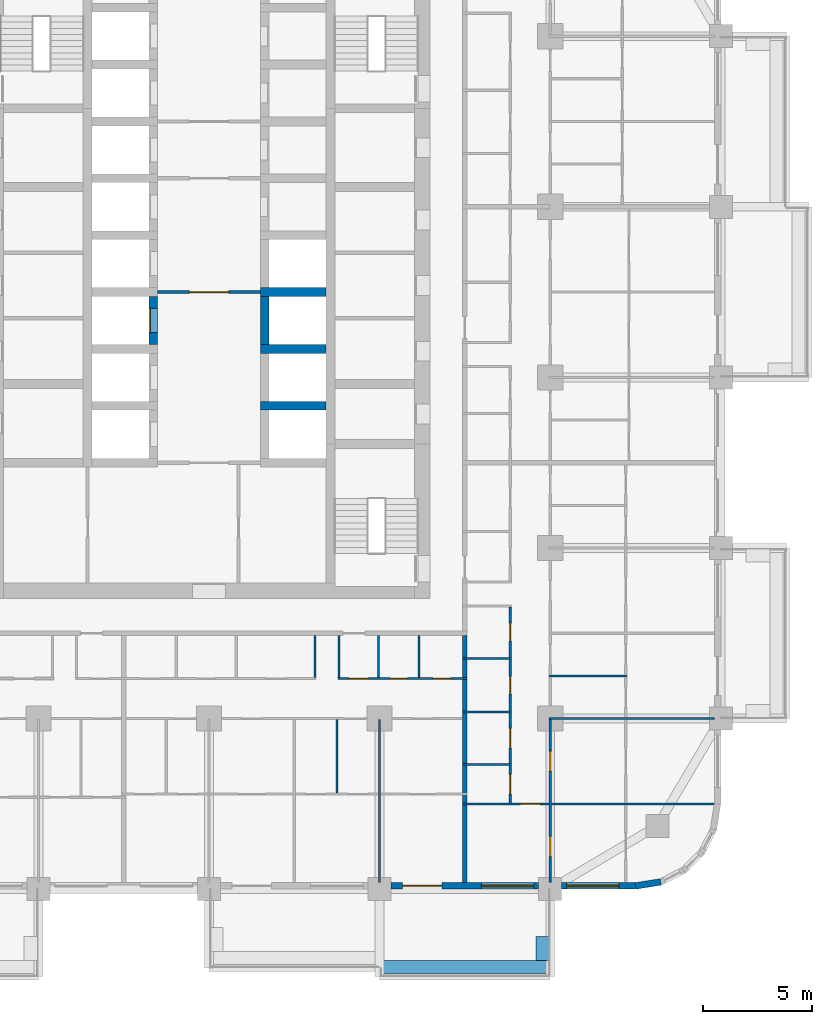
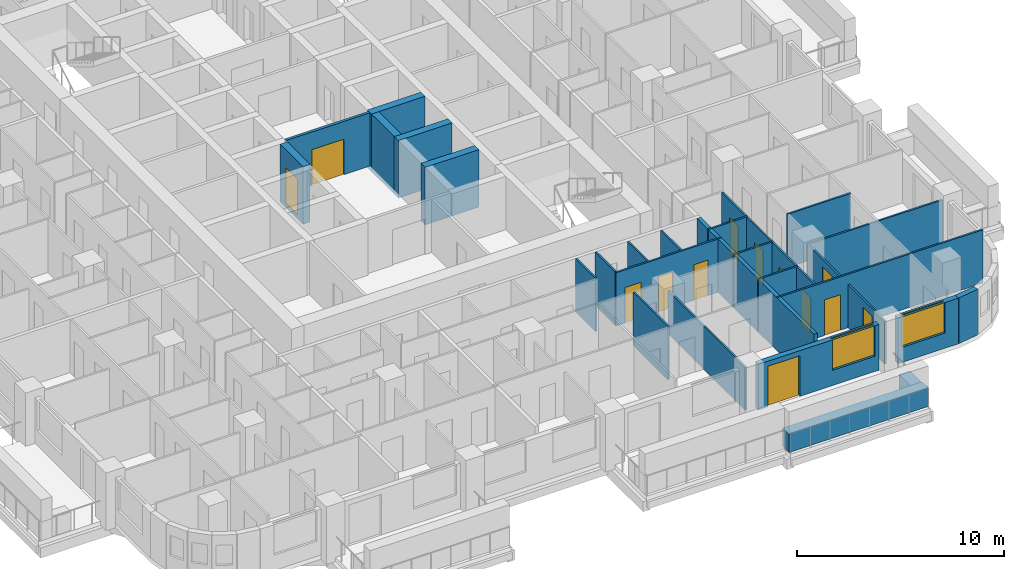
# One storey, part 7 of 18: 27 walls, 13 doors, 2 windows, 15 openings.
"""IFC4 building model written with IfcOpenShell, lengths in metres."""

from ifc_helpers import new_model, si_unit, direction, frame, frame_2d, origin, place, context, subcontext, project, spatial, rectangle, extrude, material, layer, layer_set, type_object, element, fill, save


model = new_model("IFC4")

# Units and contexts
model_context = context("Model", 3, precision=1e-05, world=origin(), true_north=direction((0.0, 1.0)))
body_context = subcontext(model_context, "Body", "Model", "MODEL_VIEW")
ifc_project = project(units=[si_unit("LENGTHUNIT", "METRE"), si_unit("AREAUNIT", "SQUARE_METRE"), si_unit("VOLUMEUNIT", "CUBIC_METRE"), si_unit("PLANEANGLEUNIT", "RADIAN"), si_unit("MASSUNIT", "GRAM", prefix="KILO")], contexts=[model_context])

# Site, building, storey
site_placement = place(None, origin())
site = spatial("IfcSite", under=ifc_project, at=site_placement, CompositionType="ELEMENT")
building_placement = place(site_placement, origin())
building = spatial("IfcBuilding", under=site, at=building_placement, Name="Ludao Terraces", CompositionType="ELEMENT")
storey_placement = place(building_placement, frame((0.0, 0.0, 29.699951171875)))
storey = spatial("IfcBuildingStorey", under=building, at=storey_placement, Name="L07", CompositionType="ELEMENT", Elevation=29.699951171875)

# Walls
ifc_material_1 = material(Name="Concrete C40", Category="concrete")
ifc_layer_1 = layer(ifc_material_1, 0.60009765625)
ifc_layer_set_1 = layer_set([ifc_layer_1], Name="ENV Planter trough 600")
wall_type_1 = type_object("IfcWallType", Name="ENV Planter trough 600", PredefinedType="USERDEFINED", material=ifc_layer_set_1)
wall_1_placement = place(storey_placement, frame((92.800048828125, 38.050048828125, 0.0), z_axis=(0.0, 0.0, 1.0), x_axis=(1.0, 0.0, 0.0)))
element("IfcWall", 1, at=wall_1_placement, inside=storey, type_object=wall_type_1, Name="PL-L07-S4", ObjectType="PLANTER", PredefinedType="USERDEFINED", context=body_context, shape_type="SweptSolid", body=[
    extrude(rectangle(XDim=7.800048828125, YDim=0.60009765625, at=frame_2d((3.89990234375, 0.0))), origin(), (0.0, 0.0, 1.0), 1.10009765625),
])
wall_2_placement = place(storey_placement, frame((100.25, 38.35009765625, 0.0), z_axis=(0.0, 0.0, 1.0), x_axis=(0.0, 1.0, 0.0)))
element("IfcWall", 2, at=wall_2_placement, inside=storey, type_object=wall_type_1, Name="PL-L07-S4-SB", ObjectType="PLANTER", PredefinedType="USERDEFINED", context=body_context, shape_type="SweptSolid", body=[
    extrude(rectangle(XDim=1.099853515625, YDim=0.60009765625, at=frame_2d((0.5498046875, 0.0))), origin(), (0.0, 0.0, 1.0), 1.10009765625),
])

# Wall, openings, door, window
ifc_material_2 = material(Name="Granite cladding", Category="masonry")
ifc_layer_2 = layer(ifc_material_2, 0.0400390625, Category="stone")
ifc_material_3 = material(Name="Mineral wool")
ifc_layer_3 = layer(ifc_material_3, 0.06005859375)
ifc_layer_4 = layer(ifc_material_1, 0.199951171875, Category="concrete")
ifc_layer_set_2 = layer_set([ifc_layer_2, ifc_layer_3, ifc_layer_4], Name="ENV Stone-clad wall 300")
wall_type_2 = type_object("IfcWallType", Name="ENV Stone-clad wall 300", PredefinedType="SOLIDWALL", material=ifc_layer_set_2)
wall_3_placement = place(storey_placement, frame((93.324951171875, 41.75, 0.0), z_axis=(0.0, 0.0, 1.0), x_axis=(1.0, 0.0, 0.0)))
wall_3 = element("IfcWall", 3, at=wall_3_placement, inside=storey, type_object=wall_type_2, Name="EW-L07-S5", PredefinedType="SOLIDWALL", context=body_context, shape_type="SweptSolid", body=[
    extrude(rectangle(XDim=6.75, YDim=0.300048828125, at=frame_2d((3.375, 0.0))), origin(), (0.0, 0.0, 1.0), 2.699951171875),
])
opening_1_placement = place(wall_3_placement, frame((0.52490234375, 0.0, 0.0)))
opening_1 = element("IfcOpeningElement", 4, at=opening_1_placement, cuts=wall_3, Name="Opening BD", PredefinedType="OPENING", context=body_context, shape_type="SweptSolid", body=[
    extrude(rectangle(XDim=1.800048828125, YDim=2.39990234375, at=frame_2d((0.89990234375, 1.199951171875))), frame((0.0, 0.16015625, 0.0), z_axis=(0.0, -1.0, 0.0), x_axis=(1.0, 0.0, 0.0)), (0.0, 0.0, 1.0), 0.320068359375),
])
opening_2_placement = place(wall_3_placement, frame((4.125, 0.0, 0.89990234375)))
opening_2 = element("IfcOpeningElement", 5, at=opening_2_placement, cuts=wall_3, Name="Opening W1", PredefinedType="OPENING", context=body_context, shape_type="SweptSolid", body=[
    extrude(rectangle(XDim=2.39990234375, YDim=1.800048828125, at=frame_2d((1.199951171875, 0.89990234375))), frame((0.0, 0.16015625, 0.0), z_axis=(0.0, -1.0, 0.0), x_axis=(1.0, 0.0, 0.0)), (0.0, 0.0, 1.0), 0.320068359375),
])
ifc_material_4 = material(Name="Aluminium glazed door", Category="aluminium")
ifc_layer_5 = layer(ifc_material_4, 0.06005859375)
ifc_layer_set_3 = layer_set([ifc_layer_5], Name="ENV Balcony door BD 1800x2400")
door_type_1 = type_object("IfcDoorType", Name="ENV Balcony door BD 1800x2400", OperationType="DOUBLE_DOOR_SINGLE_SWING", PredefinedType="DOOR", material=ifc_layer_set_3)
door_1_placement = place(opening_1_placement, origin())
door_1 = element("IfcDoor", 6, at=door_1_placement, inside=storey, type_object=door_type_1, Name="BD-L07-S5-1", OperationType="DOUBLE_DOOR_SINGLE_SWING", OverallHeight=2.39990234375, OverallWidth=1.800048828125, PredefinedType="DOOR", context=body_context, shape_type="SweptSolid", body=[
    extrude(rectangle(XDim=1.800048828125, YDim=2.39990234375, at=frame_2d((0.89990234375, 1.199951171875))), frame((0.0, 0.02490234375, 0.0), z_axis=(0.0, -1.0, 0.0), x_axis=(1.0, 0.0, 0.0)), (0.0, 0.0, 1.0), 0.050048828125),
])
fill(opening_1, door_1)
ifc_material_5 = material(Name="Clear glass in aluminium frame", Category="aluminium")
ifc_layer_6 = layer(ifc_material_5, 0.06005859375)
ifc_layer_set_4 = layer_set([ifc_layer_6], Name="ENV Window W1 2400x1800")
window_type = type_object("IfcWindowType", Name="ENV Window W1 2400x1800", PartitioningType="DOUBLE_PANEL_VERTICAL", PredefinedType="WINDOW", material=ifc_layer_set_4)
window_1_placement = place(opening_2_placement, origin())
window_1 = element("IfcWindow", 7, at=window_1_placement, inside=storey, type_object=window_type, Name="W-L07-S5-2", OverallHeight=1.800048828125, OverallWidth=2.39990234375, PartitioningType="DOUBLE_PANEL_VERTICAL", PredefinedType="WINDOW", context=body_context, shape_type="SweptSolid", body=[
    extrude(rectangle(XDim=2.39990234375, YDim=1.800048828125, at=frame_2d((1.199951171875, 0.89990234375))), frame((0.0, 0.030029296875, 0.0), z_axis=(0.0, -1.0, 0.0), x_axis=(1.0, 0.0, 0.0)), (0.0, 0.0, 1.0), 0.06005859375),
])
fill(opening_2, window_1)

# Wall, opening, window
wall_4_placement = place(storey_placement, frame((101.125, 41.75, 0.0), z_axis=(0.0, 0.0, 1.0), x_axis=(1.0, 0.0, 0.0)))
wall_4 = element("IfcWall", 8, at=wall_4_placement, inside=storey, type_object=wall_type_2, Name="EW-L07-S6", PredefinedType="SOLIDWALL", context=body_context, shape_type="SweptSolid", body=[
    extrude(rectangle(XDim=3.375, YDim=0.300048828125, at=frame_2d((1.6875, 0.0))), origin(), (0.0, 0.0, 1.0), 2.699951171875),
])
opening_3_placement = place(wall_4_placement, frame((0.22509765625, 0.0, 0.89990234375)))
opening_3 = element("IfcOpeningElement", 9, at=opening_3_placement, cuts=wall_4, Name="Opening W1", PredefinedType="OPENING", context=body_context, shape_type="SweptSolid", body=[
    extrude(rectangle(XDim=2.39990234375, YDim=1.800048828125, at=frame_2d((1.199951171875, 0.89990234375))), frame((0.0, 0.16015625, 0.0), z_axis=(0.0, -1.0, 0.0), x_axis=(1.0, 0.0, 0.0)), (0.0, 0.0, 1.0), 0.320068359375),
])
window_2_placement = place(opening_3_placement, origin())
window_2 = element("IfcWindow", 10, at=window_2_placement, inside=storey, type_object=window_type, Name="W-L07-S6-1", OverallHeight=1.800048828125, OverallWidth=2.39990234375, PartitioningType="DOUBLE_PANEL_VERTICAL", PredefinedType="WINDOW", context=body_context, shape_type="SweptSolid", body=[
    extrude(rectangle(XDim=2.39990234375, YDim=1.800048828125, at=frame_2d((1.199951171875, 0.89990234375))), frame((0.0, 0.030029296875, 0.0), z_axis=(0.0, -1.0, 0.0), x_axis=(1.0, 0.0, 0.0)), (0.0, 0.0, 1.0), 0.06005859375),
])
fill(opening_3, window_2)

# Wall
wall_5_placement = place(storey_placement, frame((104.5, 41.75, 0.0), z_axis=(0.0, 0.0, 1.0), x_axis=(0.987678452879, 0.156496880861, 0.0)))
element("IfcWall", 11, at=wall_5_placement, inside=storey, type_object=wall_type_2, Name="EW-L07-SE1", PredefinedType="SOLIDWALL", context=body_context, shape_type="SweptSolid", body=[
    extrude(rectangle(XDim=1.173095703125, YDim=0.300048828125, at=frame_2d((0.58642578125, 0.0))), origin(), (0.0, 0.0, 1.0), 2.699951171875),
])

# Wall, opening, door
ifc_material_6 = material(Name="Fire-rated gypsum plasterboard", Category="gypsum")
ifc_layer_7 = layer(ifc_material_6, 0.012451171875, Category="gypsum")
ifc_layer_8 = layer(ifc_material_3, 0.10009765625, Name="insulation")
ifc_material_7 = material(Name="Steel Q235", Category="steel")
ifc_layer_9 = layer(ifc_material_7, 0.02490234375, Name="stud")
ifc_layer_10 = layer(ifc_material_6, 0.012451171875, Category="gypsum")
ifc_layer_set_5 = layer_set([ifc_layer_7, ifc_layer_8, ifc_layer_9, ifc_layer_10], Name="INT Core partition 150")
wall_type_3 = type_object("IfcWallType", Name="INT Core partition 150", PredefinedType="PARTITIONING", material=ifc_layer_set_5)
wall_6_placement = place(storey_placement, frame((82.650146484375, 68.89990234375, 0.0), z_axis=(0.0, 0.0, 1.0), x_axis=(1.0, 0.0, 0.0)))
wall_6 = element("IfcWall", 12, at=wall_6_placement, inside=storey, type_object=wall_type_3, Name="PW-L07-PW047", PredefinedType="PARTITIONING", context=body_context, shape_type="SweptSolid", body=[
    extrude(rectangle(XDim=4.699951171875, YDim=0.14990234375, at=frame_2d((2.35009765625, 0.0))), origin(), (0.0, 0.0, 1.0), 3.150146484375),
])
opening_4_placement = place(wall_6_placement, frame((1.449951171875, 0.0, 0.0)))
opening_4 = element("IfcOpeningElement", 13, at=opening_4_placement, cuts=wall_6, Name="Opening R02-096", PredefinedType="OPENING", context=body_context, shape_type="SweptSolid", body=[
    extrude(rectangle(XDim=1.800048828125, YDim=2.10009765625, at=frame_2d((0.89990234375, 1.050048828125))), frame((0.0, 0.0849609375, 0.0), z_axis=(0.0, -1.0, 0.0), x_axis=(1.0, 0.0, 0.0)), (0.0, 0.0, 1.0), 0.169921875),
])
door_type_2 = type_object("IfcDoorType", Name="INT Fire lobby door 1800", OperationType="DOUBLE_DOOR_SINGLE_SWING", PredefinedType="DOOR", material=ifc_material_7)
door_2_placement = place(opening_4_placement, origin())
door_2 = element("IfcDoor", 14, at=door_2_placement, inside=storey, type_object=door_type_2, Name="DOOR 096", OperationType="DOUBLE_DOOR_SINGLE_SWING", OverallHeight=2.10009765625, OverallWidth=1.800048828125, PredefinedType="DOOR", context=body_context, shape_type="SweptSolid", body=[
    extrude(rectangle(XDim=1.800048828125, YDim=2.10009765625, at=frame_2d((0.89990234375, 1.050048828125))), frame((0.0, 0.02490234375, 0.0), z_axis=(0.0, -1.0, 0.0), x_axis=(1.0, 0.0, 0.0)), (0.0, 0.0, 1.0), 0.050048828125),
])
fill(opening_4, door_2)

ifc_material_8 = material(Name="Gypsum plasterboard", Category="gypsum")
ifc_layer_11 = layer(ifc_material_8, 0.012451171875, Category="gypsum")
ifc_layer_12 = layer(ifc_material_3, 0.06005859375, Name="insulation")
ifc_layer_13 = layer(ifc_material_7, 0.014892578125, Name="stud")
ifc_layer_14 = layer(ifc_material_8, 0.012451171875, Category="gypsum")
ifc_layer_set_6 = layer_set([ifc_layer_11, ifc_layer_12, ifc_layer_13, ifc_layer_14], Name="INT Partition 100")
wall_type_4 = type_object("IfcWallType", Name="INT Partition 100", PredefinedType="PARTITIONING", material=ifc_layer_set_6)
wall_7_placement = place(storey_placement, frame((96.60009765625, 45.5, 0.0), z_axis=(0.0, 0.0, 1.0), x_axis=(1.0, 0.0, 0.0)))
wall_7 = element("IfcWall", 15, at=wall_7_placement, inside=storey, type_object=wall_type_4, Name="PW-L07-PW001", PredefinedType="PARTITIONING", context=body_context, shape_type="SweptSolid", body=[
    extrude(rectangle(XDim=11.5, YDim=0.10009765625, at=frame_2d((5.75, 0.0))), origin(), (0.0, 0.0, 1.0), 3.150146484375),
])
opening_5_placement = place(wall_7_placement, frame((2.635009765625, 0.0, 0.0)))
opening_5 = element("IfcOpeningElement", 16, at=opening_5_placement, cuts=wall_7, Name="Opening R02-006", PredefinedType="OPENING", context=body_context, shape_type="SweptSolid", body=[
    extrude(rectangle(XDim=0.89990234375, YDim=2.10009765625, at=frame_2d((0.449951171875, 1.050048828125))), frame((0.0, 0.06005859375, 0.0), z_axis=(0.0, -1.0, 0.0), x_axis=(1.0, 0.0, 0.0)), (0.0, 0.0, 1.0), 0.1201171875),
])
ifc_material_9 = material(Name="Timber door leaf", Category="wood")
door_type_3 = type_object("IfcDoorType", Name="INT Room door 900", OperationType="SINGLE_SWING_LEFT", PredefinedType="DOOR", material=ifc_material_9)
door_3_placement = place(opening_5_placement, origin())
door_3 = element("IfcDoor", 17, at=door_3_placement, inside=storey, type_object=door_type_3, Name="DOOR 006", OperationType="SINGLE_SWING_LEFT", OverallHeight=2.10009765625, OverallWidth=0.89990234375, PredefinedType="DOOR", context=body_context, shape_type="SweptSolid", body=[
    extrude(rectangle(XDim=0.89990234375, YDim=2.10009765625, at=frame_2d((0.449951171875, 1.050048828125))), frame((0.0, 0.02490234375, 0.0), z_axis=(0.0, -1.0, 0.0), x_axis=(1.0, 0.0, 0.0)), (0.0, 0.0, 1.0), 0.050048828125),
])
fill(opening_5, door_3)

# Walls
wall_8_placement = place(storey_placement, frame((96.60009765625, 47.300048828125, 0.0), z_axis=(0.0, 0.0, 1.0), x_axis=(1.0, 0.0, 0.0)))
element("IfcWall", 18, at=wall_8_placement, inside=storey, type_object=wall_type_4, Name="PW-L07-PW004", PredefinedType="PARTITIONING", context=body_context, shape_type="SweptSolid", body=[
    extrude(rectangle(XDim=2.219970703125, YDim=0.10009765625, at=frame_2d((1.10986328125, 0.0))), origin(), (0.0, 0.0, 1.0), 3.150146484375),
])
wall_9_placement = place(storey_placement, frame((100.550048828125, 49.39990234375, 0.0), z_axis=(0.0, 0.0, 1.0), x_axis=(1.0, 0.0, 0.0)))
element("IfcWall", 19, at=wall_9_placement, inside=storey, type_object=wall_type_4, Name="PW-L07-PW008", PredefinedType="PARTITIONING", context=body_context, shape_type="SweptSolid", body=[
    extrude(rectangle(XDim=7.550048828125, YDim=0.10009765625, at=frame_2d((3.77490234375, 0.0))), origin(), (0.0, 0.0, 1.0), 2.550048828125),
])
wall_10_placement = place(storey_placement, frame((96.60009765625, 49.699951171875, 0.0), z_axis=(0.0, 0.0, 1.0), x_axis=(1.0, 0.0, 0.0)))
element("IfcWall", 20, at=wall_10_placement, inside=storey, type_object=wall_type_4, Name="PW-L07-PW009", PredefinedType="PARTITIONING", context=body_context, shape_type="SweptSolid", body=[
    extrude(rectangle(XDim=2.219970703125, YDim=0.10009765625, at=frame_2d((1.10986328125, 0.0))), origin(), (0.0, 0.0, 1.0), 3.150146484375),
])

# Wall, openings, doors
wall_11_placement = place(storey_placement, frame((90.900146484375, 51.22998046875, 0.0), z_axis=(0.0, 0.0, 1.0), x_axis=(1.0, 0.0, 0.0)))
wall_11 = element("IfcWall", 21, at=wall_11_placement, inside=storey, type_object=wall_type_4, Name="PW-L07-PW013", PredefinedType="PARTITIONING", context=body_context, shape_type="SweptSolid", body=[
    extrude(rectangle(XDim=5.89990234375, YDim=0.10009765625, at=frame_2d((2.949951171875, 0.0))), origin(), (0.0, 0.0, 1.0), 3.150146484375),
])
opening_6_placement = place(wall_11_placement, frame((0.5, 0.0, 0.0)))
opening_6 = element("IfcOpeningElement", 22, at=opening_6_placement, cuts=wall_11, Name="Opening R02-039", PredefinedType="OPENING", context=body_context, shape_type="SweptSolid", body=[
    extrude(rectangle(XDim=0.89990234375, YDim=2.10009765625, at=frame_2d((0.449951171875, 1.050048828125))), frame((0.0, 0.06005859375, 0.0), z_axis=(0.0, -1.0, 0.0), x_axis=(1.0, 0.0, 0.0)), (0.0, 0.0, 1.0), 0.1201171875),
])
opening_7_placement = place(wall_11_placement, frame((2.375, 0.0, 0.0)))
opening_7 = element("IfcOpeningElement", 23, at=opening_7_placement, cuts=wall_11, Name="Opening R02-040", PredefinedType="OPENING", context=body_context, shape_type="SweptSolid", body=[
    extrude(rectangle(XDim=0.800048828125, YDim=2.10009765625, at=frame_2d((0.39990234375, 1.050048828125))), frame((0.0, 0.06005859375, 0.0), z_axis=(0.0, -1.0, 0.0), x_axis=(1.0, 0.0, 0.0)), (0.0, 0.0, 1.0), 0.1201171875),
])
opening_8_placement = place(wall_11_placement, frame((4.35009765625, 0.0, 0.0)))
opening_8 = element("IfcOpeningElement", 24, at=opening_8_placement, cuts=wall_11, Name="Opening R02-041", PredefinedType="OPENING", context=body_context, shape_type="SweptSolid", body=[
    extrude(rectangle(XDim=0.800048828125, YDim=2.10009765625, at=frame_2d((0.39990234375, 1.050048828125))), frame((0.0, 0.06005859375, 0.0), z_axis=(0.0, -1.0, 0.0), x_axis=(1.0, 0.0, 0.0)), (0.0, 0.0, 1.0), 0.1201171875),
])
door_type_4 = type_object("IfcDoorType", Name="INT Bathroom door 900", OperationType="SINGLE_SWING_LEFT", PredefinedType="DOOR", material=ifc_material_9)
door_4_placement = place(opening_6_placement, origin())
door_4 = element("IfcDoor", 25, at=door_4_placement, inside=storey, type_object=door_type_4, Name="DOOR 039", OperationType="SINGLE_SWING_LEFT", OverallHeight=2.10009765625, OverallWidth=0.89990234375, PredefinedType="DOOR", context=body_context, shape_type="SweptSolid", body=[
    extrude(rectangle(XDim=0.89990234375, YDim=2.10009765625, at=frame_2d((0.449951171875, 1.050048828125))), frame((0.0, 0.02490234375, 0.0), z_axis=(0.0, -1.0, 0.0), x_axis=(1.0, 0.0, 0.0)), (0.0, 0.0, 1.0), 0.050048828125),
])
fill(opening_6, door_4)
door_type_5 = type_object("IfcDoorType", Name="INT Store door 800", OperationType="SINGLE_SWING_LEFT", PredefinedType="DOOR", material=ifc_material_9)
door_5_placement = place(opening_7_placement, origin())
door_5 = element("IfcDoor", 26, at=door_5_placement, inside=storey, type_object=door_type_5, Name="DOOR 040", OperationType="SINGLE_SWING_LEFT", OverallHeight=2.10009765625, OverallWidth=0.800048828125, PredefinedType="DOOR", context=body_context, shape_type="SweptSolid", body=[
    extrude(rectangle(XDim=0.800048828125, YDim=2.10009765625, at=frame_2d((0.39990234375, 1.050048828125))), frame((0.0, 0.02490234375, 0.0), z_axis=(0.0, -1.0, 0.0), x_axis=(1.0, 0.0, 0.0)), (0.0, 0.0, 1.0), 0.050048828125),
])
fill(opening_7, door_5)
door_6_placement = place(opening_8_placement, origin())
door_6 = element("IfcDoor", 27, at=door_6_placement, inside=storey, type_object=door_type_5, Name="DOOR 041", OperationType="SINGLE_SWING_RIGHT", OverallHeight=2.10009765625, OverallWidth=0.800048828125, PredefinedType="DOOR", context=body_context, shape_type="SweptSolid", body=[
    extrude(rectangle(XDim=0.800048828125, YDim=2.10009765625, at=frame_2d((0.39990234375, 1.050048828125))), frame((0.0, 0.02490234375, 0.0), z_axis=(0.0, -1.0, 0.0), x_axis=(1.0, 0.0, 0.0)), (0.0, 0.0, 1.0), 0.050048828125),
])
fill(opening_8, door_6)

# Walls
wall_12_placement = place(storey_placement, frame((100.550048828125, 51.35009765625, 0.0), z_axis=(0.0, 0.0, 1.0), x_axis=(1.0, 0.0, 0.0)))
element("IfcWall", 28, at=wall_12_placement, inside=storey, type_object=wall_type_4, Name="PW-L07-PW015", PredefinedType="PARTITIONING", context=body_context, shape_type="SweptSolid", body=[
    extrude(rectangle(XDim=3.550048828125, YDim=0.10009765625, at=frame_2d((1.77490234375, 0.0))), origin(), (0.0, 0.0, 1.0), 3.150146484375),
])
wall_13_placement = place(storey_placement, frame((96.60009765625, 52.14990234375, 0.0), z_axis=(0.0, 0.0, 1.0), x_axis=(1.0, 0.0, 0.0)))
element("IfcWall", 29, at=wall_13_placement, inside=storey, type_object=wall_type_4, Name="PW-L07-PW016", PredefinedType="PARTITIONING", context=body_context, shape_type="SweptSolid", body=[
    extrude(rectangle(XDim=2.219970703125, YDim=0.10009765625, at=frame_2d((1.10986328125, 0.0))), origin(), (0.0, 0.0, 1.0), 3.150146484375),
])
wall_14_placement = place(storey_placement, frame((89.85009765625, 51.280029296875, 0.0), z_axis=(0.0, 0.0, 1.0), x_axis=(0.0, 1.0, 0.0)))
element("IfcWall", 30, at=wall_14_placement, inside=storey, type_object=wall_type_4, Name="PW-L07-PW108", PredefinedType="PARTITIONING", context=body_context, shape_type="SweptSolid", body=[
    extrude(rectangle(XDim=1.920166015625, YDim=0.10009765625, at=frame_2d((0.9599609375, 0.0))), origin(), (0.0, 0.0, 1.0), 3.150146484375),
])
wall_15_placement = place(storey_placement, frame((90.85009765625, 46.0, 0.0), z_axis=(0.0, 0.0, 1.0), x_axis=(0.0, 1.0, 0.0)))
element("IfcWall", 31, at=wall_15_placement, inside=storey, type_object=wall_type_4, Name="PW-L07-PW109", PredefinedType="PARTITIONING", context=body_context, shape_type="SweptSolid", body=[
    extrude(rectangle(XDim=3.35009765625, YDim=0.10009765625, at=frame_2d((1.675048828125, 0.0))), origin(), (0.0, 0.0, 1.0), 3.150146484375),
])
for number, where, z_axis, x_axis, name in (
    (32, (90.949951171875, 51.280029296875, 0.0), (0.0, 0.0, 1.0), (0.0, 1.0, 0.0), "PW-L07-PW110"),
    (33, (92.75, 51.280029296875, 0.0), (0.0, 0.0, 1.0), (0.0, 1.0, 0.0), "PW-L07-PW111"),
):
    element("IfcWall", number, at=place(storey_placement, frame(where, z_axis=z_axis, x_axis=x_axis)), inside=storey, type_object=wall_type_4, Name=name, PredefinedType="PARTITIONING", context=body_context, shape_type="SweptSolid", body=[
        extrude(rectangle(XDim=1.920166015625, YDim=0.10009765625, at=frame_2d((0.9599609375, 0.0))), origin(), (0.0, 0.0, 1.0), 3.150146484375),
    ])
wall_16_placement = place(storey_placement, frame((92.800048828125, 41.900146484375, 0.0), z_axis=(0.0, 0.0, 1.0), x_axis=(0.0, 1.0, 0.0)))
element("IfcWall", 34, at=wall_16_placement, inside=storey, type_object=wall_type_4, Name="PW-L07-PW112", PredefinedType="PARTITIONING", context=body_context, shape_type="SweptSolid", body=[
    extrude(rectangle(XDim=7.449951171875, YDim=0.10009765625, at=frame_2d((3.72509765625, 0.0))), origin(), (0.0, 0.0, 1.0), 2.550048828125),
])
wall_17_placement = place(storey_placement, frame((94.60009765625, 51.280029296875, 0.0), z_axis=(0.0, 0.0, 1.0), x_axis=(0.0, 1.0, 0.0)))
element("IfcWall", 35, at=wall_17_placement, inside=storey, type_object=wall_type_4, Name="PW-L07-PW114", PredefinedType="PARTITIONING", context=body_context, shape_type="SweptSolid", body=[
    extrude(rectangle(XDim=1.920166015625, YDim=0.10009765625, at=frame_2d((0.9599609375, 0.0))), origin(), (0.0, 0.0, 1.0), 3.150146484375),
])

# Wall, openings, doors
wall_18_placement = place(storey_placement, frame((98.77001953125, 45.550048828125, 0.0), z_axis=(0.0, 0.0, 1.0), x_axis=(0.0, 1.0, 0.0)))
wall_18 = element("IfcWall", 36, at=wall_18_placement, inside=storey, type_object=wall_type_4, Name="PW-L07-PW118", PredefinedType="PARTITIONING", context=body_context, shape_type="SweptSolid", body=[
    extrude(rectangle(XDim=8.949951171875, YDim=0.10009765625, at=frame_2d((4.47509765625, 0.0))), origin(), (0.0, 0.0, 1.0), 3.150146484375),
])
opening_9_placement = place(wall_18_placement, frame((0.39990234375, 0.0, 0.0)))
opening_9 = element("IfcOpeningElement", 37, at=opening_9_placement, cuts=wall_18, Name="Opening R02-016", PredefinedType="OPENING", context=body_context, shape_type="SweptSolid", body=[
    extrude(rectangle(XDim=0.89990234375, YDim=2.10009765625, at=frame_2d((0.449951171875, 1.050048828125))), frame((0.0, 0.06005859375, 0.0), z_axis=(0.0, -1.0, 0.0), x_axis=(1.0, 0.0, 0.0)), (0.0, 0.0, 1.0), 0.1201171875),
])
opening_10_placement = place(wall_18_placement, frame((2.5, 0.0, 0.0)))
opening_10 = element("IfcOpeningElement", 38, at=opening_10_placement, cuts=wall_18, Name="Opening R02-022", PredefinedType="OPENING", context=body_context, shape_type="SweptSolid", body=[
    extrude(rectangle(XDim=0.89990234375, YDim=2.10009765625, at=frame_2d((0.449951171875, 1.050048828125))), frame((0.0, 0.06005859375, 0.0), z_axis=(0.0, -1.0, 0.0), x_axis=(1.0, 0.0, 0.0)), (0.0, 0.0, 1.0), 0.1201171875),
])
opening_11_placement = place(wall_18_placement, frame((4.97509765625, 0.0, 0.0)))
opening_11 = element("IfcOpeningElement", 39, at=opening_11_placement, cuts=wall_18, Name="Opening R02-032", PredefinedType="OPENING", context=body_context, shape_type="SweptSolid", body=[
    extrude(rectangle(XDim=0.800048828125, YDim=2.10009765625, at=frame_2d((0.39990234375, 1.050048828125))), frame((0.0, 0.06005859375, 0.0), z_axis=(0.0, -1.0, 0.0), x_axis=(1.0, 0.0, 0.0)), (0.0, 0.0, 1.0), 0.1201171875),
])
opening_12_placement = place(wall_18_placement, frame((7.39990234375, 0.0, 0.0)))
opening_12 = element("IfcOpeningElement", 40, at=opening_12_placement, cuts=wall_18, Name="Opening R02-049", PredefinedType="OPENING", context=body_context, shape_type="SweptSolid", body=[
    extrude(rectangle(XDim=0.800048828125, YDim=2.10009765625, at=frame_2d((0.39990234375, 1.050048828125))), frame((0.0, 0.06005859375, 0.0), z_axis=(0.0, -1.0, 0.0), x_axis=(1.0, 0.0, 0.0)), (0.0, 0.0, 1.0), 0.1201171875),
])
door_7_placement = place(opening_9_placement, origin())
door_7 = element("IfcDoor", 41, at=door_7_placement, inside=storey, type_object=door_type_4, Name="DOOR 016", OperationType="SINGLE_SWING_LEFT", OverallHeight=2.10009765625, OverallWidth=0.89990234375, PredefinedType="DOOR", context=body_context, shape_type="SweptSolid", body=[
    extrude(rectangle(XDim=0.89990234375, YDim=2.10009765625, at=frame_2d((0.449951171875, 1.050048828125))), frame((0.0, 0.02490234375, 0.0), z_axis=(0.0, -1.0, 0.0), x_axis=(1.0, 0.0, 0.0)), (0.0, 0.0, 1.0), 0.050048828125),
])
fill(opening_9, door_7)
door_8_placement = place(opening_10_placement, origin())
door_8 = element("IfcDoor", 42, at=door_8_placement, inside=storey, type_object=door_type_4, Name="DOOR 022", OperationType="SINGLE_SWING_LEFT", OverallHeight=2.10009765625, OverallWidth=0.89990234375, PredefinedType="DOOR", context=body_context, shape_type="SweptSolid", body=[
    extrude(rectangle(XDim=0.89990234375, YDim=2.10009765625, at=frame_2d((0.449951171875, 1.050048828125))), frame((0.0, 0.02490234375, 0.0), z_axis=(0.0, -1.0, 0.0), x_axis=(1.0, 0.0, 0.0)), (0.0, 0.0, 1.0), 0.050048828125),
])
fill(opening_10, door_8)
door_9_placement = place(opening_11_placement, origin())
door_9 = element("IfcDoor", 43, at=door_9_placement, inside=storey, type_object=door_type_5, Name="DOOR 032", OperationType="SINGLE_SWING_RIGHT", OverallHeight=2.10009765625, OverallWidth=0.800048828125, PredefinedType="DOOR", context=body_context, shape_type="SweptSolid", body=[
    extrude(rectangle(XDim=0.800048828125, YDim=2.10009765625, at=frame_2d((0.39990234375, 1.050048828125))), frame((0.0, 0.02490234375, 0.0), z_axis=(0.0, -1.0, 0.0), x_axis=(1.0, 0.0, 0.0)), (0.0, 0.0, 1.0), 0.050048828125),
])
fill(opening_11, door_9)
door_10_placement = place(opening_12_placement, origin())
door_10 = element("IfcDoor", 44, at=door_10_placement, inside=storey, type_object=door_type_5, Name="DOOR 049", OperationType="SINGLE_SWING_RIGHT", OverallHeight=2.10009765625, OverallWidth=0.800048828125, PredefinedType="DOOR", context=body_context, shape_type="SweptSolid", body=[
    extrude(rectangle(XDim=0.800048828125, YDim=2.10009765625, at=frame_2d((0.39990234375, 1.050048828125))), frame((0.0, 0.02490234375, 0.0), z_axis=(0.0, -1.0, 0.0), x_axis=(1.0, 0.0, 0.0)), (0.0, 0.0, 1.0), 0.050048828125),
])
fill(opening_12, door_10)

wall_19_placement = place(storey_placement, frame((100.60009765625, 41.900146484375, 0.0), z_axis=(0.0, 0.0, 1.0), x_axis=(0.0, 1.0, 0.0)))
wall_19 = element("IfcWall", 45, at=wall_19_placement, inside=storey, type_object=wall_type_4, Name="PW-L07-PW122", PredefinedType="PARTITIONING", context=body_context, shape_type="SweptSolid", body=[
    extrude(rectangle(XDim=7.499755859375, YDim=0.10009765625, at=frame_2d((3.75, 0.0))), origin(), (0.0, 0.0, 1.0), 2.550048828125),
])
opening_13_placement = place(wall_19_placement, frame((1.199951171875, 0.0, 0.0)))
opening_13 = element("IfcOpeningElement", 46, at=opening_13_placement, cuts=wall_19, Name="Opening R02-003", PredefinedType="OPENING", context=body_context, shape_type="SweptSolid", body=[
    extrude(rectangle(XDim=0.89990234375, YDim=2.10009765625, at=frame_2d((0.449951171875, 1.050048828125))), frame((0.0, 0.06005859375, 0.0), z_axis=(0.0, -1.0, 0.0), x_axis=(1.0, 0.0, 0.0)), (0.0, 0.0, 1.0), 0.1201171875),
])
opening_14_placement = place(wall_19_placement, frame((5.10009765625, 0.0, 0.0)))
opening_14 = element("IfcOpeningElement", 47, at=opening_14_placement, cuts=wall_19, Name="Opening R02-020", PredefinedType="OPENING", context=body_context, shape_type="SweptSolid", body=[
    extrude(rectangle(XDim=0.89990234375, YDim=2.10009765625, at=frame_2d((0.449951171875, 1.050048828125))), frame((0.0, 0.06005859375, 0.0), z_axis=(0.0, -1.0, 0.0), x_axis=(1.0, 0.0, 0.0)), (0.0, 0.0, 1.0), 0.1201171875),
])
door_11_placement = place(opening_13_placement, origin())
door_11 = element("IfcDoor", 48, at=door_11_placement, inside=storey, type_object=door_type_3, Name="DOOR 003", OperationType="SINGLE_SWING_RIGHT", OverallHeight=2.10009765625, OverallWidth=0.89990234375, PredefinedType="DOOR", context=body_context, shape_type="SweptSolid", body=[
    extrude(rectangle(XDim=0.89990234375, YDim=2.10009765625, at=frame_2d((0.449951171875, 1.050048828125))), frame((0.0, 0.02490234375, 0.0), z_axis=(0.0, -1.0, 0.0), x_axis=(1.0, 0.0, 0.0)), (0.0, 0.0, 1.0), 0.050048828125),
])
fill(opening_13, door_11)
door_12_placement = place(opening_14_placement, origin())
door_12 = element("IfcDoor", 49, at=door_12_placement, inside=storey, type_object=door_type_3, Name="DOOR 020", OperationType="SINGLE_SWING_RIGHT", OverallHeight=2.10009765625, OverallWidth=0.89990234375, PredefinedType="DOOR", context=body_context, shape_type="SweptSolid", body=[
    extrude(rectangle(XDim=0.89990234375, YDim=2.10009765625, at=frame_2d((0.449951171875, 1.050048828125))), frame((0.0, 0.02490234375, 0.0), z_axis=(0.0, -1.0, 0.0), x_axis=(1.0, 0.0, 0.0)), (0.0, 0.0, 1.0), 0.050048828125),
])
fill(opening_14, door_12)

# Wall
ifc_material_10 = material(Name="Autoclaved aerated concrete block B06 A3.5", Category="concrete")
ifc_layer_15 = layer(ifc_material_10, 0.199951171875)
ifc_layer_set_7 = layer_set([ifc_layer_15], Name="INT Party wall 200")
wall_type_5 = type_object("IfcWallType", Name="INT Party wall 200", PredefinedType="PARTITIONING", material=ifc_layer_set_7)
wall_20_placement = place(storey_placement, frame((96.699951171875, 41.900146484375, 0.0), z_axis=(0.0, 0.0, 1.0), x_axis=(0.0, 1.0, 0.0)))
element("IfcWall", 50, at=wall_20_placement, inside=storey, type_object=wall_type_5, Name="PW-L07-PW115", PredefinedType="PARTITIONING", context=body_context, shape_type="SweptSolid", body=[
    extrude(rectangle(XDim=11.300048828125, YDim=0.199951171875, at=frame_2d((5.64990234375, 0.0))), origin(), (0.0, 0.0, 1.0), 3.150146484375),
])

# Wall, opening, door
ifc_material_11 = material(Name="Concrete C60", Category="concrete")
ifc_layer_16 = layer(ifc_material_11, 0.39990234375)
ifc_layer_set_8 = layer_set([ifc_layer_16], Name="Shaft wall 400 C60")
wall_type_6 = type_object("IfcWallType", Name="Shaft wall 400 C60", PredefinedType="SOLIDWALL", material=ifc_layer_set_8)
wall_21_placement = place(storey_placement, frame((82.449951171875, 66.5, -0.25), z_axis=(0.0, 0.0, 1.0), x_axis=(0.0, 1.0, 0.0)))
wall_21 = element("IfcWall", 51, at=wall_21_placement, inside=storey, type_object=wall_type_6, Name="Core wall L07 front-W3", PredefinedType="SOLIDWALL", context=body_context, shape_type="SweptSolid", body=[
    extrude(rectangle(XDim=2.199951171875, YDim=0.39990234375, at=frame_2d((1.10009765625, 0.0))), origin(), (0.0, 0.0, 1.0), 3.400146484375),
])
opening_15_placement = place(wall_21_placement, frame((0.550048828125, 0.0, 0.25)))
opening_15 = element("IfcOpeningElement", 52, at=opening_15_placement, cuts=wall_21, Name="Opening LD-LA3", PredefinedType="OPENING", context=body_context, shape_type="SweptSolid", body=[
    extrude(rectangle(XDim=1.10009765625, YDim=2.10009765625, at=frame_2d((0.550048828125, 1.050048828125))), frame((0.0, 0.2099609375, 0.0), z_axis=(0.0, -1.0, 0.0), x_axis=(1.0, 0.0, 0.0)), (0.0, 0.0, 1.0), 0.419921875),
])
ifc_material_12 = material(Name="Stainless steel 304", Category="steel")
door_type_6 = type_object("IfcDoorType", Name="INT Lift landing door 1100", OperationType="SLIDING_TO_LEFT", PredefinedType="DOOR", material=ifc_material_12)
door_13_placement = place(opening_15_placement, origin())
door_13 = element("IfcDoor", 53, at=door_13_placement, inside=storey, type_object=door_type_6, Name="LANDING DOOR LA3 L07", OperationType="SLIDING_TO_RIGHT", OverallHeight=2.10009765625, OverallWidth=1.10009765625, PredefinedType="DOOR", context=body_context, shape_type="SweptSolid", body=[
    extrude(rectangle(XDim=1.10009765625, YDim=2.10009765625, at=frame_2d((0.550048828125, 1.050048828125))), frame((0.0, 0.18505859375, 0.0), z_axis=(0.0, -1.0, 0.0), x_axis=(1.0, 0.0, 0.0)), (0.0, 0.0, 1.0), 0.050048828125),
])
fill(opening_15, door_13)

# Walls
for number, where, z_axis, x_axis, name in (
    (54, (87.35009765625, 63.699951171875, -0.25), (0.0, 0.0, 1.0), (1.0, 0.0, 0.0), "Core wall L07 div-E2"),
    (55, (87.35009765625, 66.300048828125, -0.25), (0.0, 0.0, 1.0), (1.0, 0.0, 0.0), "Core wall L07 div-E3"),
):
    element("IfcWall", number, at=place(storey_placement, frame(where, z_axis=z_axis, x_axis=x_axis)), inside=storey, type_object=wall_type_6, Name=name, PredefinedType="SOLIDWALL", context=body_context, shape_type="SweptSolid", body=[
        extrude(rectangle(XDim=3.0, YDim=0.39990234375, at=frame_2d((1.5, 0.0))), origin(), (0.0, 0.0, 1.0), 3.400146484375),
    ])
wall_22_placement = place(storey_placement, frame((87.550048828125, 66.5, -0.25), z_axis=(0.0, 0.0, 1.0), x_axis=(0.0, 1.0, 0.0)))
element("IfcWall", 56, at=wall_22_placement, inside=storey, type_object=wall_type_6, Name="Core wall L07 front-E3", PredefinedType="SOLIDWALL", context=body_context, shape_type="SweptSolid", body=[
    extrude(rectangle(XDim=2.199951171875, YDim=0.39990234375, at=frame_2d((1.10009765625, 0.0))), origin(), (0.0, 0.0, 1.0), 3.400146484375),
])
wall_23_placement = place(storey_placement, frame((87.35009765625, 68.89990234375, -0.25), z_axis=(0.0, 0.0, 1.0), x_axis=(1.0, 0.0, 0.0)))
element("IfcWall", 57, at=wall_23_placement, inside=storey, type_object=wall_type_6, Name="Core wall L07 div-E4", PredefinedType="SOLIDWALL", context=body_context, shape_type="SweptSolid", body=[
    extrude(rectangle(XDim=3.0, YDim=0.39990234375, at=frame_2d((1.5, 0.0))), origin(), (0.0, 0.0, 1.0), 3.400146484375),
])

save(model, "model.ifc")
